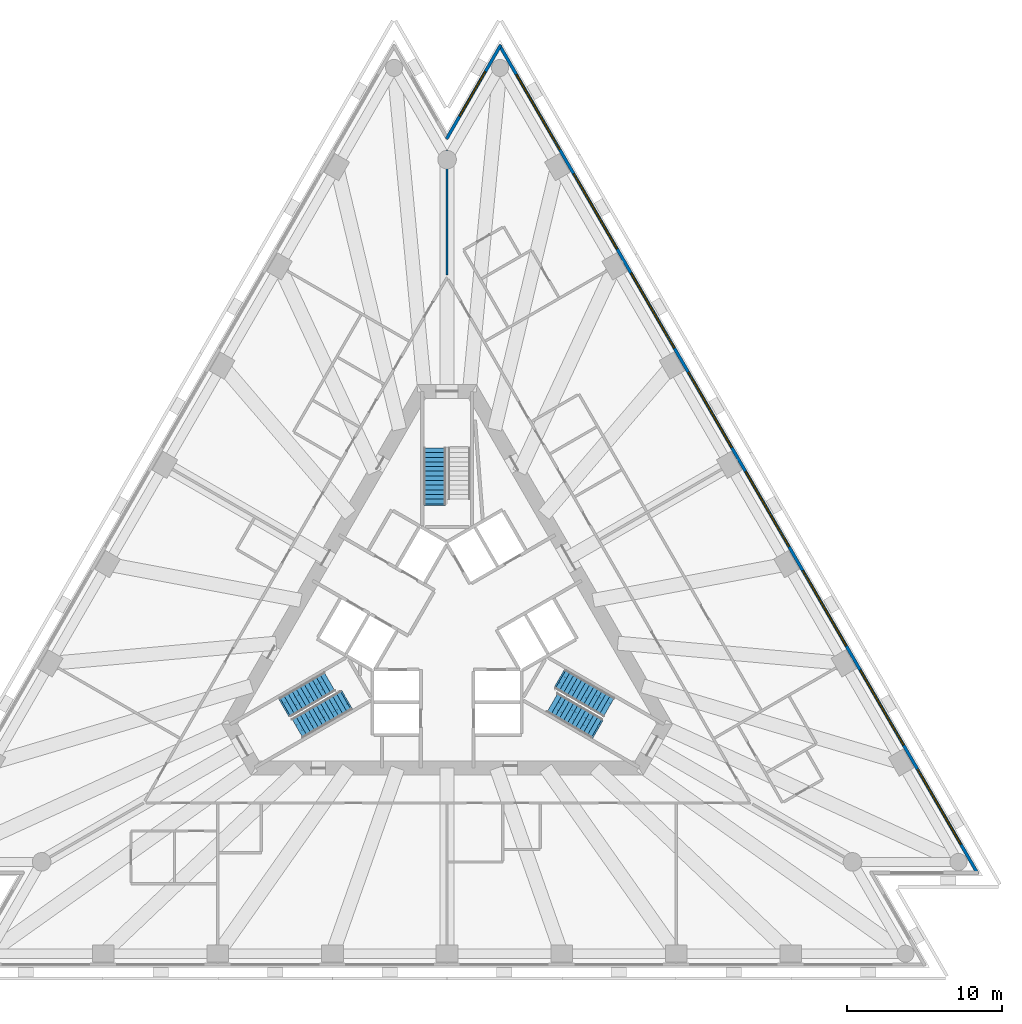
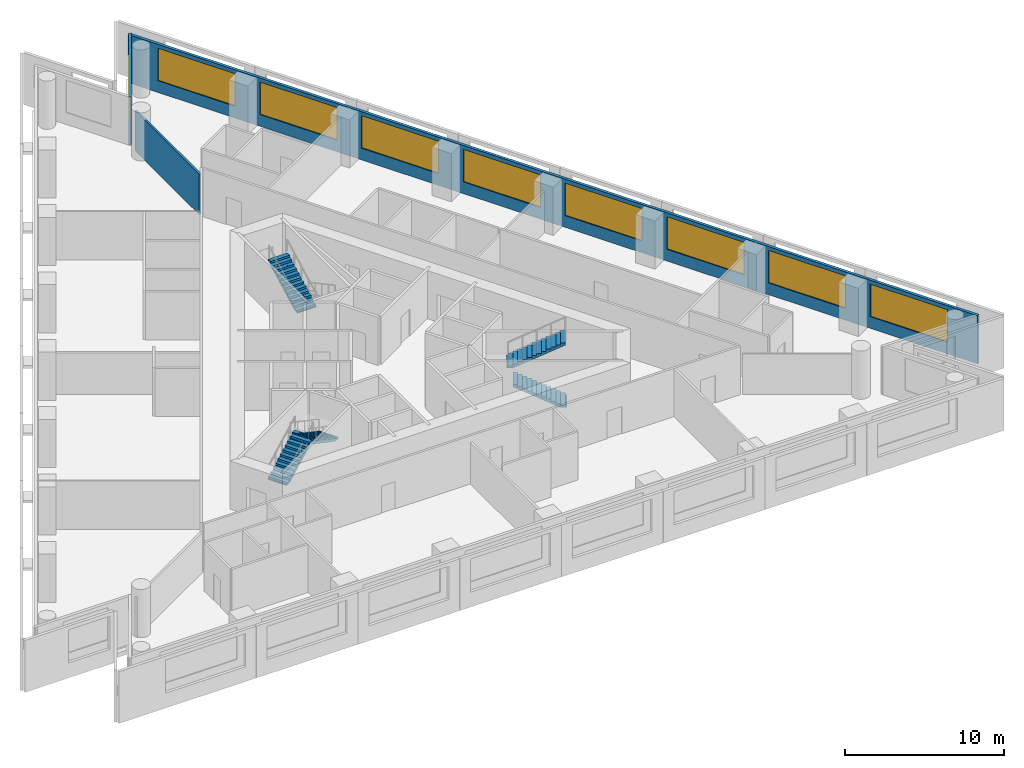
# One storey, part 8 of 11: 9 windows, 5 stair flights, 3 walls, 9 openings, 3 elements without a shape of their own.
"""IFC4 building model written with IfcOpenShell, lengths in metres."""

from ifc_helpers import new_model, si_unit, direction, frame, frame_2d, origin, place, context, subcontext, project, spatial, polyline, rectangle, outline, extrude, material, layer, layer_set, layer_usage, type_object, element, fill, aggregate, save


model = new_model("IFC4")

# Units and contexts
model_context = context("Model", 3, precision=1e-05, world=origin(), true_north=direction((0.0, 1.0)))
body_context = subcontext(model_context, "Body", "Model", "MODEL_VIEW")
ifc_project = project(units=[si_unit("LENGTHUNIT", "METRE"), si_unit("AREAUNIT", "SQUARE_METRE"), si_unit("VOLUMEUNIT", "CUBIC_METRE"), si_unit("PLANEANGLEUNIT", "RADIAN"), si_unit("MASSUNIT", "GRAM", prefix="KILO")], contexts=[model_context])

# Site, building, storey
site_placement = place(None, origin())
site = spatial("IfcSite", under=ifc_project, at=site_placement, CompositionType="ELEMENT")
building_placement = place(site_placement, origin())
building = spatial("IfcBuilding", under=site, at=building_placement, Name="Triada Interchange Tower", CompositionType="ELEMENT")
storey_placement = place(building_placement, frame((0.0, 0.0, 59.300048828125)))
storey = spatial("IfcBuildingStorey", under=building, at=storey_placement, Name="L12", CompositionType="ELEMENT", Elevation=59.300048828125)

# Wall, openings, windows
ifc_material_1 = material(Name="Cement board")
ifc_layer_1 = layer(ifc_material_1, 0.02001953125, Name="Cement board cladding")
ifc_material_2 = material(Name="Sheathing board")
ifc_layer_2 = layer(ifc_material_2, 0.014892578125, Name="Sheathing board")
ifc_material_3 = material(Name="Mineral wool")
ifc_layer_3 = layer(ifc_material_3, 0.14990234375, Name="Mineral wool between steel studs")
ifc_material_4 = material(Name="Gypsum board")
ifc_layer_4 = layer(ifc_material_4, 0.014892578125, Name="Plasterboard lining")
ifc_layer_set_1 = layer_set([ifc_layer_1, ifc_layer_2, ifc_layer_3, ifc_layer_4], Name="External wall 200")
ifc_layer_usage = layer_usage(ifc_layer_set_1, "AXIS2", "POSITIVE", -0.10009765625)
wall_type_1 = type_object("IfcWallType", Name="External wall 200", PredefinedType="ELEMENTEDWALL", material=ifc_layer_set_1)
wall_1_placement = place(storey_placement, frame((34.240966796875, -15.8759765625, 0.0), z_axis=(0.0, 0.0, 1.0), x_axis=(-0.500006313899, 0.866021758423, 0.0)))
wall_1 = element("IfcWall", 1, at=wall_1_placement, inside=storey, type_object=wall_type_1, material=ifc_layer_usage, Name="External wall L12 NE", PredefinedType="ELEMENTEDWALL", context=body_context, shape_type="SweptSolid", body=[
    extrude(rectangle(XDim=61.718994140625, YDim=0.199951171875, at=frame_2d((30.859375, 0.0))), origin(), (0.0, 0.0, 1.0), 3.699951171875),
])
opening_1_placement = place(wall_1_placement, frame((2.198974609375, 0.0, 0.89990234375)))
opening_1 = element("IfcOpeningElement", 2, at=opening_1_placement, cuts=wall_1, Name="Opening WA21", PredefinedType="OPENING", context=body_context, shape_type="SweptSolid", body=[
    extrude(rectangle(XDim=5.60009765625, YDim=2.5, at=frame_2d((2.800048828125, 1.25))), frame((0.0, 0.10986328125, 0.0), z_axis=(0.0, -1.0, 0.0), x_axis=(1.0, 0.0, 0.0)), (0.0, 0.0, 1.0), 0.219970703125),
])
opening_2_placement = place(wall_1_placement, frame((9.590087890625, 0.0, 0.89990234375)))
opening_2 = element("IfcOpeningElement", 3, at=opening_2_placement, cuts=wall_1, Name="Opening WA22", PredefinedType="OPENING", context=body_context, shape_type="SweptSolid", body=[
    extrude(rectangle(XDim=5.60009765625, YDim=2.5, at=frame_2d((2.800048828125, 1.25))), frame((0.0, 0.10986328125, 0.0), z_axis=(0.0, -1.0, 0.0), x_axis=(1.0, 0.0, 0.0)), (0.0, 0.0, 1.0), 0.219970703125),
])
opening_3_placement = place(wall_1_placement, frame((16.98193359375, 0.0, 0.89990234375)))
opening_3 = element("IfcOpeningElement", 4, at=opening_3_placement, cuts=wall_1, Name="Opening WA23", PredefinedType="OPENING", context=body_context, shape_type="SweptSolid", body=[
    extrude(rectangle(XDim=5.60009765625, YDim=2.5, at=frame_2d((2.800048828125, 1.25))), frame((0.0, 0.10986328125, 0.0), z_axis=(0.0, -1.0, 0.0), x_axis=(1.0, 0.0, 0.0)), (0.0, 0.0, 1.0), 0.219970703125),
])
opening_4_placement = place(wall_1_placement, frame((24.3740234375, 0.0, 0.89990234375)))
opening_4 = element("IfcOpeningElement", 5, at=opening_4_placement, cuts=wall_1, Name="Opening WA24", PredefinedType="OPENING", context=body_context, shape_type="SweptSolid", body=[
    extrude(rectangle(XDim=5.60009765625, YDim=2.5, at=frame_2d((2.800048828125, 1.25))), frame((0.0, 0.10986328125, 0.0), z_axis=(0.0, -1.0, 0.0), x_axis=(1.0, 0.0, 0.0)), (0.0, 0.0, 1.0), 0.219970703125),
])
opening_5_placement = place(wall_1_placement, frame((31.764892578125, 0.0, 0.89990234375)))
opening_5 = element("IfcOpeningElement", 6, at=opening_5_placement, cuts=wall_1, Name="Opening WA25", PredefinedType="OPENING", context=body_context, shape_type="SweptSolid", body=[
    extrude(rectangle(XDim=5.60009765625, YDim=2.5, at=frame_2d((2.800048828125, 1.25))), frame((0.0, 0.10986328125, 0.0), z_axis=(0.0, -1.0, 0.0), x_axis=(1.0, 0.0, 0.0)), (0.0, 0.0, 1.0), 0.219970703125),
])
opening_6_placement = place(wall_1_placement, frame((39.156982421875, 0.0, 0.89990234375)))
opening_6 = element("IfcOpeningElement", 7, at=opening_6_placement, cuts=wall_1, Name="Opening WA26", PredefinedType="OPENING", context=body_context, shape_type="SweptSolid", body=[
    extrude(rectangle(XDim=5.60009765625, YDim=2.5, at=frame_2d((2.800048828125, 1.25))), frame((0.0, 0.10986328125, 0.0), z_axis=(0.0, -1.0, 0.0), x_axis=(1.0, 0.0, 0.0)), (0.0, 0.0, 1.0), 0.219970703125),
])
opening_7_placement = place(wall_1_placement, frame((46.549072265625, 0.0, 0.89990234375)))
opening_7 = element("IfcOpeningElement", 8, at=opening_7_placement, cuts=wall_1, Name="Opening WA27", PredefinedType="OPENING", context=body_context, shape_type="SweptSolid", body=[
    extrude(rectangle(XDim=5.60009765625, YDim=2.5, at=frame_2d((2.800048828125, 1.25))), frame((0.0, 0.10986328125, 0.0), z_axis=(0.0, -1.0, 0.0), x_axis=(1.0, 0.0, 0.0)), (0.0, 0.0, 1.0), 0.219970703125),
])
opening_8_placement = place(wall_1_placement, frame((53.93994140625, 0.0, 0.89990234375)))
opening_8 = element("IfcOpeningElement", 9, at=opening_8_placement, cuts=wall_1, Name="Opening WA28", PredefinedType="OPENING", context=body_context, shape_type="SweptSolid", body=[
    extrude(rectangle(XDim=5.60009765625, YDim=2.5, at=frame_2d((2.800048828125, 1.25))), frame((0.0, 0.10986328125, 0.0), z_axis=(0.0, -1.0, 0.0), x_axis=(1.0, 0.0, 0.0)), (0.0, 0.0, 1.0), 0.219970703125),
])
ifc_material_5 = material(Name="Double glazed aluminium window", Category="aluminium")
window_type_1 = type_object("IfcWindowType", Name="Ribbon window A face", PartitioningType="SINGLE_PANEL", PredefinedType="WINDOW", material=ifc_material_5)
window_1_placement = place(opening_1_placement, origin())
window_1 = element("IfcWindow", 10, at=window_1_placement, inside=storey, type_object=window_type_1, Name="Window L12 NE 1", OverallHeight=2.5, OverallWidth=5.60009765625, PartitioningType="SINGLE_PANEL", PredefinedType="WINDOW", context=body_context, shape_type="SweptSolid", body=[
    extrude(rectangle(XDim=5.60009765625, YDim=2.5, at=frame_2d((2.800048828125, 1.25))), frame((0.0, 0.030029296875, 0.0), z_axis=(0.0, -1.0, 0.0), x_axis=(1.0, 0.0, 0.0)), (0.0, 0.0, 1.0), 0.06005859375),
])
fill(opening_1, window_1)
window_2_placement = place(opening_2_placement, origin())
window_2 = element("IfcWindow", 11, at=window_2_placement, inside=storey, type_object=window_type_1, Name="Window L12 NE 2", OverallHeight=2.5, OverallWidth=5.60009765625, PartitioningType="SINGLE_PANEL", PredefinedType="WINDOW", context=body_context, shape_type="SweptSolid", body=[
    extrude(rectangle(XDim=5.60009765625, YDim=2.5, at=frame_2d((2.800048828125, 1.25))), frame((0.0, 0.030029296875, 0.0), z_axis=(0.0, -1.0, 0.0), x_axis=(1.0, 0.0, 0.0)), (0.0, 0.0, 1.0), 0.06005859375),
])
fill(opening_2, window_2)
window_3_placement = place(opening_3_placement, origin())
window_3 = element("IfcWindow", 12, at=window_3_placement, inside=storey, type_object=window_type_1, Name="Window L12 NE 3", OverallHeight=2.5, OverallWidth=5.60009765625, PartitioningType="SINGLE_PANEL", PredefinedType="WINDOW", context=body_context, shape_type="SweptSolid", body=[
    extrude(rectangle(XDim=5.60009765625, YDim=2.5, at=frame_2d((2.800048828125, 1.25))), frame((0.0, 0.030029296875, 0.0), z_axis=(0.0, -1.0, 0.0), x_axis=(1.0, 0.0, 0.0)), (0.0, 0.0, 1.0), 0.06005859375),
])
fill(opening_3, window_3)
window_4_placement = place(opening_4_placement, origin())
window_4 = element("IfcWindow", 13, at=window_4_placement, inside=storey, type_object=window_type_1, Name="Window L12 NE 4", OverallHeight=2.5, OverallWidth=5.60009765625, PartitioningType="SINGLE_PANEL", PredefinedType="WINDOW", context=body_context, shape_type="SweptSolid", body=[
    extrude(rectangle(XDim=5.60009765625, YDim=2.5, at=frame_2d((2.800048828125, 1.25))), frame((0.0, 0.030029296875, 0.0), z_axis=(0.0, -1.0, 0.0), x_axis=(1.0, 0.0, 0.0)), (0.0, 0.0, 1.0), 0.06005859375),
])
fill(opening_4, window_4)
window_5_placement = place(opening_5_placement, origin())
window_5 = element("IfcWindow", 14, at=window_5_placement, inside=storey, type_object=window_type_1, Name="Window L12 NE 5", OverallHeight=2.5, OverallWidth=5.60009765625, PartitioningType="SINGLE_PANEL", PredefinedType="WINDOW", context=body_context, shape_type="SweptSolid", body=[
    extrude(rectangle(XDim=5.60009765625, YDim=2.5, at=frame_2d((2.800048828125, 1.25))), frame((0.0, 0.030029296875, 0.0), z_axis=(0.0, -1.0, 0.0), x_axis=(1.0, 0.0, 0.0)), (0.0, 0.0, 1.0), 0.06005859375),
])
fill(opening_5, window_5)
window_6_placement = place(opening_6_placement, origin())
window_6 = element("IfcWindow", 15, at=window_6_placement, inside=storey, type_object=window_type_1, Name="Window L12 NE 6", OverallHeight=2.5, OverallWidth=5.60009765625, PartitioningType="SINGLE_PANEL", PredefinedType="WINDOW", context=body_context, shape_type="SweptSolid", body=[
    extrude(rectangle(XDim=5.60009765625, YDim=2.5, at=frame_2d((2.800048828125, 1.25))), frame((0.0, 0.030029296875, 0.0), z_axis=(0.0, -1.0, 0.0), x_axis=(1.0, 0.0, 0.0)), (0.0, 0.0, 1.0), 0.06005859375),
])
fill(opening_6, window_6)
window_7_placement = place(opening_7_placement, origin())
window_7 = element("IfcWindow", 16, at=window_7_placement, inside=storey, type_object=window_type_1, Name="Window L12 NE 7", OverallHeight=2.5, OverallWidth=5.60009765625, PartitioningType="SINGLE_PANEL", PredefinedType="WINDOW", context=body_context, shape_type="SweptSolid", body=[
    extrude(rectangle(XDim=5.60009765625, YDim=2.5, at=frame_2d((2.800048828125, 1.25))), frame((0.0, 0.030029296875, 0.0), z_axis=(0.0, -1.0, 0.0), x_axis=(1.0, 0.0, 0.0)), (0.0, 0.0, 1.0), 0.06005859375),
])
fill(opening_7, window_7)
window_8_placement = place(opening_8_placement, origin())
window_8 = element("IfcWindow", 17, at=window_8_placement, inside=storey, type_object=window_type_1, Name="Window L12 NE 8", OverallHeight=2.5, OverallWidth=5.60009765625, PartitioningType="SINGLE_PANEL", PredefinedType="WINDOW", context=body_context, shape_type="SweptSolid", body=[
    extrude(rectangle(XDim=5.60009765625, YDim=2.5, at=frame_2d((2.800048828125, 1.25))), frame((0.0, 0.030029296875, 0.0), z_axis=(0.0, -1.0, 0.0), x_axis=(1.0, 0.0, 0.0)), (0.0, 0.0, 1.0), 0.06005859375),
])
fill(opening_8, window_8)

# Wall, opening, window
wall_2_placement = place(storey_placement, frame((3.4609375, 37.591064453125, 0.0), z_axis=(0.0, 0.0, 1.0), x_axis=(-0.499927968592, -0.866066987143, 0.0)))
wall_2 = element("IfcWall", 18, at=wall_2_placement, inside=storey, type_object=wall_type_1, material=ifc_layer_usage, Name="External wall L12 N-1", PredefinedType="ELEMENTEDWALL", context=body_context, shape_type="SweptSolid", body=[
    extrude(rectangle(XDim=6.99267578125, YDim=0.199951171875, at=frame_2d((3.496337890625, 0.0))), origin(), (0.0, 0.0, 1.0), 3.699951171875),
])
opening_9_placement = place(wall_2_placement, frame((1.989990234375, 0.0, 0.89990234375)))
opening_9 = element("IfcOpeningElement", 19, at=opening_9_placement, cuts=wall_2, Name="Opening WA29", PredefinedType="OPENING", context=body_context, shape_type="SweptSolid", body=[
    extrude(rectangle(XDim=3.300048828125, YDim=2.5, at=frame_2d((1.64990234375, 1.25))), frame((0.0, 0.10986328125, 0.0), z_axis=(0.0, -1.0, 0.0), x_axis=(1.0, 0.0, 0.0)), (0.0, 0.0, 1.0), 0.219970703125),
])
window_type_2 = type_object("IfcWindowType", Name="Ribbon window A pocket", PartitioningType="SINGLE_PANEL", PredefinedType="WINDOW", material=ifc_material_5)
window_9_placement = place(opening_9_placement, origin())
window_9 = element("IfcWindow", 20, at=window_9_placement, inside=storey, type_object=window_type_2, Name="Window L12 N-1 1", OverallHeight=2.5, OverallWidth=3.300048828125, PartitioningType="SINGLE_PANEL", PredefinedType="WINDOW", context=body_context, shape_type="SweptSolid", body=[
    extrude(rectangle(XDim=3.300048828125, YDim=2.5, at=frame_2d((1.64990234375, 1.25))), frame((0.0, 0.030029296875, 0.0), z_axis=(0.0, -1.0, 0.0), x_axis=(1.0, 0.0, 0.0)), (0.0, 0.0, 1.0), 0.06005859375),
])
fill(opening_9, window_9)

# Wall
ifc_material_6 = material(Name="Gypsum board partition")
ifc_layer_5 = layer(ifc_material_6, 0.14990234375)
ifc_layer_set_2 = layer_set([ifc_layer_5], Name="PARTITION 150 EI 180")
wall_type_2 = type_object("IfcWallType", Name="PARTITION 150 EI 180", PredefinedType="PARTITIONING", material=ifc_layer_set_2)
wall_3_placement = place(storey_placement, frame((0.0, 22.75, 0.0), z_axis=(0.0, 0.0, 1.0), x_axis=(0.0, 1.0, 0.0)))
element("IfcWall", 21, at=wall_3_placement, inside=storey, type_object=wall_type_2, Name="Wall L12 19", PredefinedType="PARTITIONING", context=body_context, shape_type="SweptSolid", body=[
    extrude(rectangle(XDim=8.06591796875, YDim=0.14990234375, at=frame_2d((4.032958984375, 0.0))), origin(), (0.0, 0.0, 1.0), 3.099853515625),
])

# Stair, stair flight
ifc_material_7 = material(Name="Concrete C35/45", Category="concrete")
stair_type = type_object("IfcStairType", Name="HALF TURN STAIR 1400", PredefinedType="HALF_TURN_STAIR", material=ifc_material_7)
stair_1_placement = place(storey_placement, origin())
stair_1 = element("IfcStair", 22, at=stair_1_placement, inside=storey, type_object=stair_type, Name="Exit stair S12-1", PredefinedType="HALF_TURN_STAIR")
stair_flight_type = type_object("IfcStairFlightType", Name="STRAIGHT STAIR FLIGHT 1400", PredefinedType="STRAIGHT", material=ifc_material_7)
stair_flight_1_placement = place(storey_placement, frame((-0.800048828125, 8.0, 1.919921875), z_axis=(0.0, 0.0, 1.0), x_axis=(0.0, 1.0, 0.0)))
stair_flight_1 = element("IfcStairFlight", 23, at=stair_flight_1_placement, type_object=stair_flight_type, Name="S12-1 flight 2", NumberOfRisers=13, NumberOfTreads=12, PredefinedType="STRAIGHT", RiserHeight=0.16, TreadLength=0.3, context=body_context, shape_type="SweptSolid", body=[
    extrude(outline(polyline([(-0.10009765625, 0.0), (-0.10009765625, 0.02001953125), (0.0, 0.02001953125), (0.0, 0.159912109375), (0.300048828125, 0.159912109375), (0.300048828125, 0.320068359375), (0.60009765625, 0.320068359375), (0.60009765625, 0.47998046875), (0.89990234375, 0.47998046875), (0.89990234375, 0.639892578125), (1.199951171875, 0.639892578125), (1.199951171875, 0.800048828125), (1.5, 0.800048828125), (1.5, 0.9599609375), (1.800048828125, 0.9599609375), (1.800048828125, 1.1201171875), (2.10009765625, 1.1201171875), (2.10009765625, 1.280029296875), (2.39990234375, 1.280029296875), (2.39990234375, 1.43994140625), (2.699951171875, 1.43994140625), (2.699951171875, 1.60009765625), (3.0, 1.60009765625), (3.0, 1.760009765625), (3.300048828125, 1.760009765625), (3.300048828125, 1.919921875), (3.60009765625, 1.919921875), (3.60400390625, 1.919921875), (3.60400390625, 2.080078125), (3.60400390625, 1.75), (0.318603515625, 0.0), (-0.10009765625, 0.0)])), frame((0.0, 0.699951171875, 0.0), z_axis=(0.0, -1.0, 0.0), x_axis=(1.0, 0.0, 0.0)), (0.0, 0.0, 1.0), 0.46533203125),
    extrude(outline(polyline([(-0.10009765625, 0.0), (-0.10009765625, 0.02001953125), (0.0, 0.02001953125), (0.0, 0.159912109375), (0.300048828125, 0.159912109375), (0.300048828125, 0.320068359375), (0.60009765625, 0.320068359375), (0.60009765625, 0.47998046875), (0.89990234375, 0.47998046875), (0.89990234375, 0.639892578125), (1.199951171875, 0.639892578125), (1.199951171875, 0.800048828125), (1.5, 0.800048828125), (1.5, 0.9599609375), (1.800048828125, 0.9599609375), (1.800048828125, 1.1201171875), (2.10009765625, 1.1201171875), (2.10009765625, 1.280029296875), (2.39990234375, 1.280029296875), (2.39990234375, 1.43994140625), (2.699951171875, 1.43994140625), (2.699951171875, 1.60009765625), (3.0, 1.60009765625), (3.0, 1.760009765625), (3.300048828125, 1.760009765625), (3.300048828125, 1.919921875), (3.60009765625, 1.919921875), (3.60400390625, 1.919921875), (3.60400390625, 2.080078125), (3.60400390625, 1.75), (0.318603515625, 0.0), (-0.10009765625, 0.0)])), frame((0.0, 0.232666015625, 0.0), z_axis=(0.0, -1.0, 0.0), x_axis=(1.0, 0.0, 0.0)), (0.0, 0.0, 1.0), 0.46533203125),
    extrude(outline(polyline([(-0.10009765625, 0.0), (-0.10009765625, 0.02001953125), (0.0, 0.02001953125), (0.0, 0.159912109375), (0.300048828125, 0.159912109375), (0.300048828125, 0.320068359375), (0.60009765625, 0.320068359375), (0.60009765625, 0.47998046875), (0.89990234375, 0.47998046875), (0.89990234375, 0.639892578125), (1.199951171875, 0.639892578125), (1.199951171875, 0.800048828125), (1.5, 0.800048828125), (1.5, 0.9599609375), (1.800048828125, 0.9599609375), (1.800048828125, 1.1201171875), (2.10009765625, 1.1201171875), (2.10009765625, 1.280029296875), (2.39990234375, 1.280029296875), (2.39990234375, 1.43994140625), (2.699951171875, 1.43994140625), (2.699951171875, 1.60009765625), (3.0, 1.60009765625), (3.0, 1.760009765625), (3.300048828125, 1.760009765625), (3.300048828125, 1.919921875), (3.60009765625, 1.919921875), (3.60400390625, 1.919921875), (3.60400390625, 2.080078125), (3.60400390625, 1.75), (0.318603515625, 0.0), (-0.10009765625, 0.0)])), frame((0.0, -0.234619140625, 0.0), z_axis=(0.0, -1.0, 0.0), x_axis=(1.0, 0.0, 0.0)), (0.0, 0.0, 1.0), 0.46533203125),
])
aggregate(stair_1, [stair_flight_1])

# Stair, stair flights
stair_2_placement = place(storey_placement, origin())
stair_2 = element("IfcStair", 24, at=stair_2_placement, inside=storey, type_object=stair_type, Name="Exit stair S12-2", PredefinedType="HALF_TURN_STAIR")
stair_flight_2_placement = place(storey_placement, frame((-10.446044921875, -5.10693359375, 0.0), z_axis=(0.0, 0.0, 1.0), x_axis=(0.866025403784, 0.5, 0.0)))
stair_flight_2 = element("IfcStairFlight", 25, at=stair_flight_2_placement, type_object=stair_flight_type, Name="S12-2 flight 1", NumberOfRisers=12, NumberOfTreads=11, PredefinedType="STRAIGHT", RiserHeight=0.16, TreadLength=0.3, context=body_context, shape_type="SweptSolid", body=[
    extrude(outline(polyline([(-0.10009765625, 0.0), (-0.10009765625, 0.02001953125), (0.0, 0.02001953125), (0.0, 0.159912109375), (0.300048828125, 0.159912109375), (0.300048828125, 0.320068359375), (0.60009765625, 0.320068359375), (0.60009765625, 0.47998046875), (0.89990234375, 0.47998046875), (0.89990234375, 0.639892578125), (1.199951171875, 0.639892578125), (1.199951171875, 0.800048828125), (1.5, 0.800048828125), (1.5, 0.9599609375), (1.800048828125, 0.9599609375), (1.800048828125, 1.1201171875), (2.10009765625, 1.1201171875), (2.10009765625, 1.280029296875), (2.39990234375, 1.280029296875), (2.39990234375, 1.43994140625), (2.699951171875, 1.43994140625), (2.699951171875, 1.60009765625), (3.0, 1.60009765625), (3.0, 1.760009765625), (3.300048828125, 1.760009765625), (3.303955078125, 1.760009765625), (3.303955078125, 1.919921875), (3.303955078125, 1.590087890625), (0.318603515625, 0.0), (-0.10009765625, 0.0)])), frame((0.0, 0.699951171875, 0.0), z_axis=(0.0, -1.0, 0.0), x_axis=(1.0, 0.0, 0.0)), (0.0, 0.0, 1.0), 0.46533203125),
    extrude(outline(polyline([(-0.10009765625, 0.0), (-0.10009765625, 0.02001953125), (0.0, 0.02001953125), (0.0, 0.159912109375), (0.300048828125, 0.159912109375), (0.300048828125, 0.320068359375), (0.60009765625, 0.320068359375), (0.60009765625, 0.47998046875), (0.89990234375, 0.47998046875), (0.89990234375, 0.639892578125), (1.199951171875, 0.639892578125), (1.199951171875, 0.800048828125), (1.5, 0.800048828125), (1.5, 0.9599609375), (1.800048828125, 0.9599609375), (1.800048828125, 1.1201171875), (2.10009765625, 1.1201171875), (2.10009765625, 1.280029296875), (2.39990234375, 1.280029296875), (2.39990234375, 1.43994140625), (2.699951171875, 1.43994140625), (2.699951171875, 1.60009765625), (3.0, 1.60009765625), (3.0, 1.760009765625), (3.300048828125, 1.760009765625), (3.303955078125, 1.760009765625), (3.303955078125, 1.919921875), (3.303955078125, 1.590087890625), (0.318603515625, 0.0), (-0.10009765625, 0.0)])), frame((0.0, 0.232666015625, 0.0), z_axis=(0.0, -1.0, 0.0), x_axis=(1.0, 0.0, 0.0)), (0.0, 0.0, 1.0), 0.46533203125),
    extrude(outline(polyline([(-0.10009765625, 0.0), (-0.10009765625, 0.02001953125), (0.0, 0.02001953125), (0.0, 0.159912109375), (0.300048828125, 0.159912109375), (0.300048828125, 0.320068359375), (0.60009765625, 0.320068359375), (0.60009765625, 0.47998046875), (0.89990234375, 0.47998046875), (0.89990234375, 0.639892578125), (1.199951171875, 0.639892578125), (1.199951171875, 0.800048828125), (1.5, 0.800048828125), (1.5, 0.9599609375), (1.800048828125, 0.9599609375), (1.800048828125, 1.1201171875), (2.10009765625, 1.1201171875), (2.10009765625, 1.280029296875), (2.39990234375, 1.280029296875), (2.39990234375, 1.43994140625), (2.699951171875, 1.43994140625), (2.699951171875, 1.60009765625), (3.0, 1.60009765625), (3.0, 1.760009765625), (3.300048828125, 1.760009765625), (3.303955078125, 1.760009765625), (3.303955078125, 1.919921875), (3.303955078125, 1.590087890625), (0.318603515625, 0.0), (-0.10009765625, 0.0)])), frame((0.0, -0.234619140625, 0.0), z_axis=(0.0, -1.0, 0.0), x_axis=(1.0, 0.0, 0.0)), (0.0, 0.0, 1.0), 0.46533203125),
])
stair_flight_3_placement = place(storey_placement, frame((-6.528076171875, -4.693115234375, 1.919921875), z_axis=(0.0, 0.0, 1.0), x_axis=(-0.866025403784, -0.5, 0.0)))
stair_flight_3 = element("IfcStairFlight", 26, at=stair_flight_3_placement, type_object=stair_flight_type, Name="S12-2 flight 2", NumberOfRisers=13, NumberOfTreads=12, PredefinedType="STRAIGHT", RiserHeight=0.16, TreadLength=0.3, context=body_context, shape_type="SweptSolid", body=[
    extrude(outline(polyline([(-0.10009765625, 0.0), (-0.10009765625, 0.02001953125), (0.0, 0.02001953125), (0.0, 0.159912109375), (0.300048828125, 0.159912109375), (0.300048828125, 0.320068359375), (0.60009765625, 0.320068359375), (0.60009765625, 0.47998046875), (0.89990234375, 0.47998046875), (0.89990234375, 0.639892578125), (1.199951171875, 0.639892578125), (1.199951171875, 0.800048828125), (1.5, 0.800048828125), (1.5, 0.9599609375), (1.800048828125, 0.9599609375), (1.800048828125, 1.1201171875), (2.10009765625, 1.1201171875), (2.10009765625, 1.280029296875), (2.39990234375, 1.280029296875), (2.39990234375, 1.43994140625), (2.699951171875, 1.43994140625), (2.699951171875, 1.60009765625), (3.0, 1.60009765625), (3.0, 1.760009765625), (3.300048828125, 1.760009765625), (3.300048828125, 1.919921875), (3.60009765625, 1.919921875), (3.60400390625, 1.919921875), (3.60400390625, 2.080078125), (3.60400390625, 1.75), (0.318603515625, 0.0), (-0.10009765625, 0.0)])), frame((0.0, 0.699951171875, 0.0), z_axis=(0.0, -1.0, 0.0), x_axis=(1.0, 0.0, 0.0)), (0.0, 0.0, 1.0), 0.46533203125),
    extrude(outline(polyline([(-0.10009765625, 0.0), (-0.10009765625, 0.02001953125), (0.0, 0.02001953125), (0.0, 0.159912109375), (0.300048828125, 0.159912109375), (0.300048828125, 0.320068359375), (0.60009765625, 0.320068359375), (0.60009765625, 0.47998046875), (0.89990234375, 0.47998046875), (0.89990234375, 0.639892578125), (1.199951171875, 0.639892578125), (1.199951171875, 0.800048828125), (1.5, 0.800048828125), (1.5, 0.9599609375), (1.800048828125, 0.9599609375), (1.800048828125, 1.1201171875), (2.10009765625, 1.1201171875), (2.10009765625, 1.280029296875), (2.39990234375, 1.280029296875), (2.39990234375, 1.43994140625), (2.699951171875, 1.43994140625), (2.699951171875, 1.60009765625), (3.0, 1.60009765625), (3.0, 1.760009765625), (3.300048828125, 1.760009765625), (3.300048828125, 1.919921875), (3.60009765625, 1.919921875), (3.60400390625, 1.919921875), (3.60400390625, 2.080078125), (3.60400390625, 1.75), (0.318603515625, 0.0), (-0.10009765625, 0.0)])), frame((0.0, 0.232666015625, 0.0), z_axis=(0.0, -1.0, 0.0), x_axis=(1.0, 0.0, 0.0)), (0.0, 0.0, 1.0), 0.46533203125),
    extrude(outline(polyline([(-0.10009765625, 0.0), (-0.10009765625, 0.02001953125), (0.0, 0.02001953125), (0.0, 0.159912109375), (0.300048828125, 0.159912109375), (0.300048828125, 0.320068359375), (0.60009765625, 0.320068359375), (0.60009765625, 0.47998046875), (0.89990234375, 0.47998046875), (0.89990234375, 0.639892578125), (1.199951171875, 0.639892578125), (1.199951171875, 0.800048828125), (1.5, 0.800048828125), (1.5, 0.9599609375), (1.800048828125, 0.9599609375), (1.800048828125, 1.1201171875), (2.10009765625, 1.1201171875), (2.10009765625, 1.280029296875), (2.39990234375, 1.280029296875), (2.39990234375, 1.43994140625), (2.699951171875, 1.43994140625), (2.699951171875, 1.60009765625), (3.0, 1.60009765625), (3.0, 1.760009765625), (3.300048828125, 1.760009765625), (3.300048828125, 1.919921875), (3.60009765625, 1.919921875), (3.60400390625, 1.919921875), (3.60400390625, 2.080078125), (3.60400390625, 1.75), (0.318603515625, 0.0), (-0.10009765625, 0.0)])), frame((0.0, -0.234619140625, 0.0), z_axis=(0.0, -1.0, 0.0), x_axis=(1.0, 0.0, 0.0)), (0.0, 0.0, 1.0), 0.46533203125),
])
aggregate(stair_2, [stair_flight_2, stair_flight_3])

stair_3_placement = place(storey_placement, origin())
stair_3 = element("IfcStair", 27, at=stair_3_placement, inside=storey, type_object=stair_type, Name="Exit stair S12-3", PredefinedType="HALF_TURN_STAIR")
stair_flight_4_placement = place(storey_placement, frame((9.64599609375, -6.492919921875, 0.0), z_axis=(0.0, 0.0, 1.0), x_axis=(-0.866025403784, 0.5, 0.0)))
stair_flight_4 = element("IfcStairFlight", 28, at=stair_flight_4_placement, type_object=stair_flight_type, Name="S12-3 flight 1", NumberOfRisers=12, NumberOfTreads=11, PredefinedType="STRAIGHT", RiserHeight=0.16, TreadLength=0.3, context=body_context, shape_type="SweptSolid", body=[
    extrude(outline(polyline([(-0.10009765625, 0.0), (-0.10009765625, 0.02001953125), (0.0, 0.02001953125), (0.0, 0.159912109375), (0.300048828125, 0.159912109375), (0.300048828125, 0.320068359375), (0.60009765625, 0.320068359375), (0.60009765625, 0.47998046875), (0.89990234375, 0.47998046875), (0.89990234375, 0.639892578125), (1.199951171875, 0.639892578125), (1.199951171875, 0.800048828125), (1.5, 0.800048828125), (1.5, 0.9599609375), (1.800048828125, 0.9599609375), (1.800048828125, 1.1201171875), (2.10009765625, 1.1201171875), (2.10009765625, 1.280029296875), (2.39990234375, 1.280029296875), (2.39990234375, 1.43994140625), (2.699951171875, 1.43994140625), (2.699951171875, 1.60009765625), (3.0, 1.60009765625), (3.0, 1.760009765625), (3.300048828125, 1.760009765625), (3.303955078125, 1.760009765625), (3.303955078125, 1.919921875), (3.303955078125, 1.590087890625), (0.318603515625, 0.0), (-0.10009765625, 0.0)])), frame((0.0, 0.699951171875, 0.0), z_axis=(0.0, -1.0, 0.0), x_axis=(1.0, 0.0, 0.0)), (0.0, 0.0, 1.0), 0.46533203125),
    extrude(outline(polyline([(-0.10009765625, 0.0), (-0.10009765625, 0.02001953125), (0.0, 0.02001953125), (0.0, 0.159912109375), (0.300048828125, 0.159912109375), (0.300048828125, 0.320068359375), (0.60009765625, 0.320068359375), (0.60009765625, 0.47998046875), (0.89990234375, 0.47998046875), (0.89990234375, 0.639892578125), (1.199951171875, 0.639892578125), (1.199951171875, 0.800048828125), (1.5, 0.800048828125), (1.5, 0.9599609375), (1.800048828125, 0.9599609375), (1.800048828125, 1.1201171875), (2.10009765625, 1.1201171875), (2.10009765625, 1.280029296875), (2.39990234375, 1.280029296875), (2.39990234375, 1.43994140625), (2.699951171875, 1.43994140625), (2.699951171875, 1.60009765625), (3.0, 1.60009765625), (3.0, 1.760009765625), (3.300048828125, 1.760009765625), (3.303955078125, 1.760009765625), (3.303955078125, 1.919921875), (3.303955078125, 1.590087890625), (0.318603515625, 0.0), (-0.10009765625, 0.0)])), frame((0.0, 0.232666015625, 0.0), z_axis=(0.0, -1.0, 0.0), x_axis=(1.0, 0.0, 0.0)), (0.0, 0.0, 1.0), 0.46533203125),
    extrude(outline(polyline([(-0.10009765625, 0.0), (-0.10009765625, 0.02001953125), (0.0, 0.02001953125), (0.0, 0.159912109375), (0.300048828125, 0.159912109375), (0.300048828125, 0.320068359375), (0.60009765625, 0.320068359375), (0.60009765625, 0.47998046875), (0.89990234375, 0.47998046875), (0.89990234375, 0.639892578125), (1.199951171875, 0.639892578125), (1.199951171875, 0.800048828125), (1.5, 0.800048828125), (1.5, 0.9599609375), (1.800048828125, 0.9599609375), (1.800048828125, 1.1201171875), (2.10009765625, 1.1201171875), (2.10009765625, 1.280029296875), (2.39990234375, 1.280029296875), (2.39990234375, 1.43994140625), (2.699951171875, 1.43994140625), (2.699951171875, 1.60009765625), (3.0, 1.60009765625), (3.0, 1.760009765625), (3.300048828125, 1.760009765625), (3.303955078125, 1.760009765625), (3.303955078125, 1.919921875), (3.303955078125, 1.590087890625), (0.318603515625, 0.0), (-0.10009765625, 0.0)])), frame((0.0, -0.234619140625, 0.0), z_axis=(0.0, -1.0, 0.0), x_axis=(1.0, 0.0, 0.0)), (0.0, 0.0, 1.0), 0.46533203125),
])
stair_flight_5_placement = place(storey_placement, frame((7.327880859375, -3.306884765625, 1.919921875), z_axis=(0.0, 0.0, 1.0), x_axis=(0.866025403784, -0.5, 0.0)))
stair_flight_5 = element("IfcStairFlight", 29, at=stair_flight_5_placement, type_object=stair_flight_type, Name="S12-3 flight 2", NumberOfRisers=13, NumberOfTreads=12, PredefinedType="STRAIGHT", RiserHeight=0.16, TreadLength=0.3, context=body_context, shape_type="SweptSolid", body=[
    extrude(outline(polyline([(-0.10009765625, 0.0), (-0.10009765625, 0.02001953125), (0.0, 0.02001953125), (0.0, 0.159912109375), (0.300048828125, 0.159912109375), (0.300048828125, 0.320068359375), (0.60009765625, 0.320068359375), (0.60009765625, 0.47998046875), (0.89990234375, 0.47998046875), (0.89990234375, 0.639892578125), (1.199951171875, 0.639892578125), (1.199951171875, 0.800048828125), (1.5, 0.800048828125), (1.5, 0.9599609375), (1.800048828125, 0.9599609375), (1.800048828125, 1.1201171875), (2.10009765625, 1.1201171875), (2.10009765625, 1.280029296875), (2.39990234375, 1.280029296875), (2.39990234375, 1.43994140625), (2.699951171875, 1.43994140625), (2.699951171875, 1.60009765625), (3.0, 1.60009765625), (3.0, 1.760009765625), (3.300048828125, 1.760009765625), (3.300048828125, 1.919921875), (3.60009765625, 1.919921875), (3.60400390625, 1.919921875), (3.60400390625, 2.080078125), (3.60400390625, 1.75), (0.318603515625, 0.0), (-0.10009765625, 0.0)])), frame((0.0, 0.699951171875, 0.0), z_axis=(0.0, -1.0, 0.0), x_axis=(1.0, 0.0, 0.0)), (0.0, 0.0, 1.0), 0.46533203125),
    extrude(outline(polyline([(-0.10009765625, 0.0), (-0.10009765625, 0.02001953125), (0.0, 0.02001953125), (0.0, 0.159912109375), (0.300048828125, 0.159912109375), (0.300048828125, 0.320068359375), (0.60009765625, 0.320068359375), (0.60009765625, 0.47998046875), (0.89990234375, 0.47998046875), (0.89990234375, 0.639892578125), (1.199951171875, 0.639892578125), (1.199951171875, 0.800048828125), (1.5, 0.800048828125), (1.5, 0.9599609375), (1.800048828125, 0.9599609375), (1.800048828125, 1.1201171875), (2.10009765625, 1.1201171875), (2.10009765625, 1.280029296875), (2.39990234375, 1.280029296875), (2.39990234375, 1.43994140625), (2.699951171875, 1.43994140625), (2.699951171875, 1.60009765625), (3.0, 1.60009765625), (3.0, 1.760009765625), (3.300048828125, 1.760009765625), (3.300048828125, 1.919921875), (3.60009765625, 1.919921875), (3.60400390625, 1.919921875), (3.60400390625, 2.080078125), (3.60400390625, 1.75), (0.318603515625, 0.0), (-0.10009765625, 0.0)])), frame((0.0, 0.232666015625, 0.0), z_axis=(0.0, -1.0, 0.0), x_axis=(1.0, 0.0, 0.0)), (0.0, 0.0, 1.0), 0.46533203125),
    extrude(outline(polyline([(-0.10009765625, 0.0), (-0.10009765625, 0.02001953125), (0.0, 0.02001953125), (0.0, 0.159912109375), (0.300048828125, 0.159912109375), (0.300048828125, 0.320068359375), (0.60009765625, 0.320068359375), (0.60009765625, 0.47998046875), (0.89990234375, 0.47998046875), (0.89990234375, 0.639892578125), (1.199951171875, 0.639892578125), (1.199951171875, 0.800048828125), (1.5, 0.800048828125), (1.5, 0.9599609375), (1.800048828125, 0.9599609375), (1.800048828125, 1.1201171875), (2.10009765625, 1.1201171875), (2.10009765625, 1.280029296875), (2.39990234375, 1.280029296875), (2.39990234375, 1.43994140625), (2.699951171875, 1.43994140625), (2.699951171875, 1.60009765625), (3.0, 1.60009765625), (3.0, 1.760009765625), (3.300048828125, 1.760009765625), (3.300048828125, 1.919921875), (3.60009765625, 1.919921875), (3.60400390625, 1.919921875), (3.60400390625, 2.080078125), (3.60400390625, 1.75), (0.318603515625, 0.0), (-0.10009765625, 0.0)])), frame((0.0, -0.234619140625, 0.0), z_axis=(0.0, -1.0, 0.0), x_axis=(1.0, 0.0, 0.0)), (0.0, 0.0, 1.0), 0.46533203125),
])
aggregate(stair_3, [stair_flight_4, stair_flight_5])

save(model, "model.ifc")
